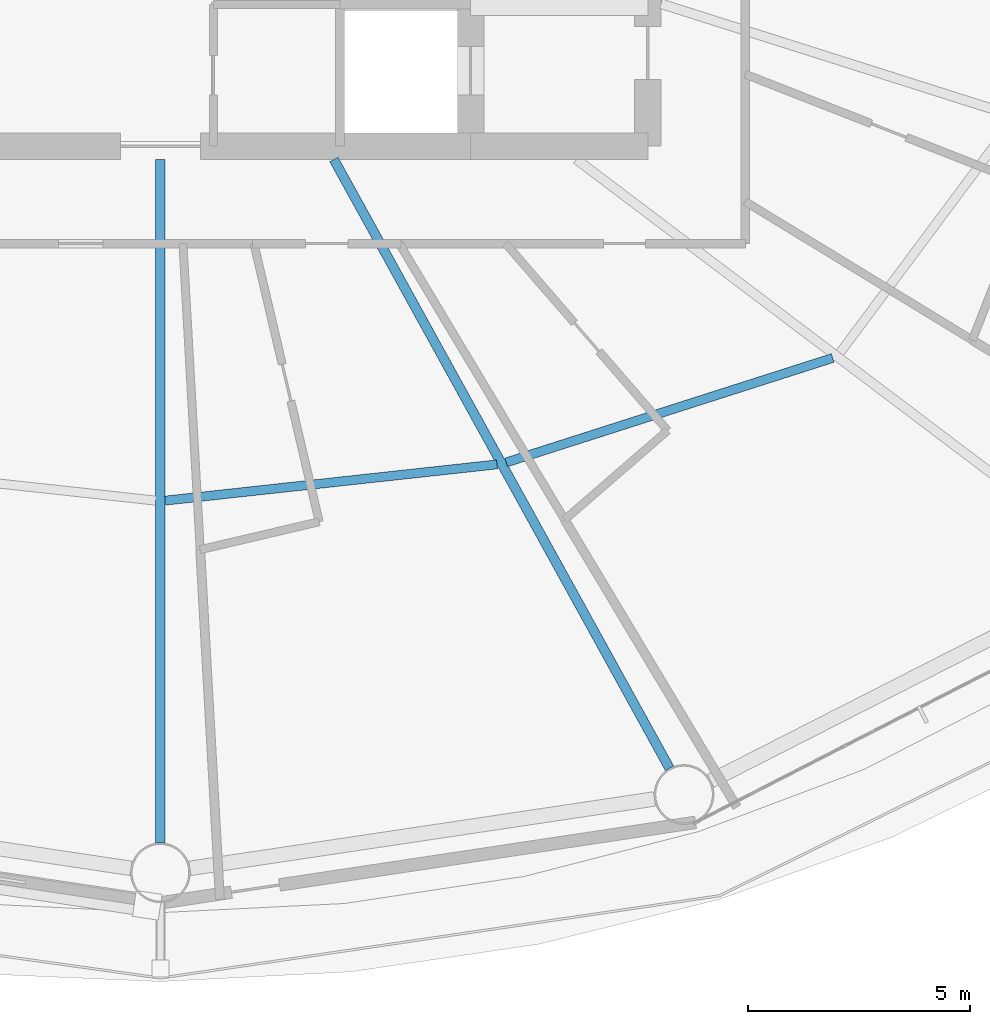
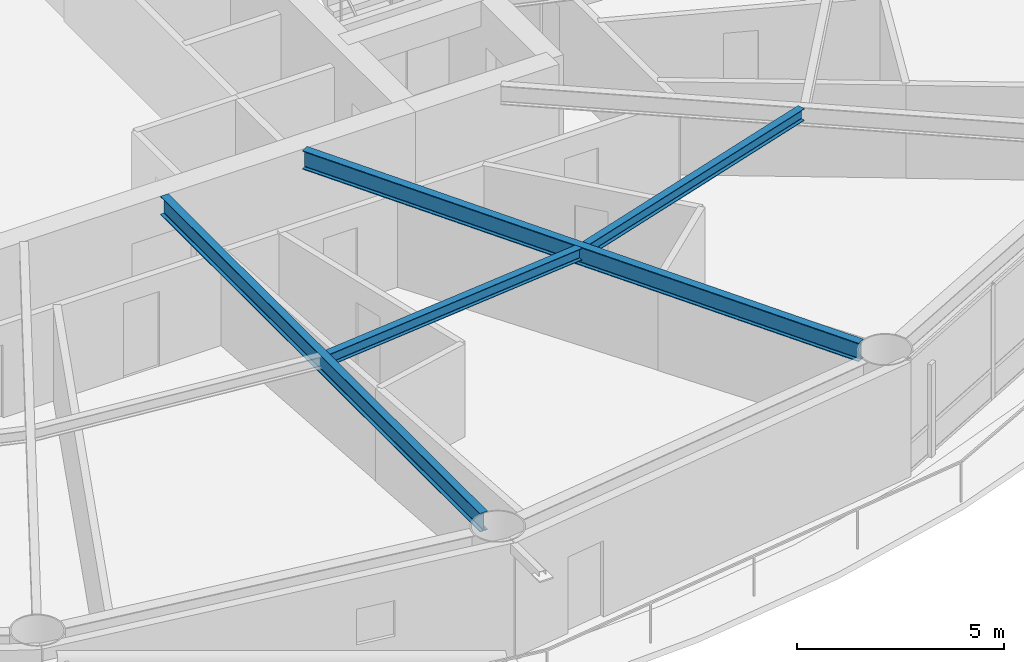
# One storey, part 7 of 26: 4 beams.
"""IFC4 building model written with IfcOpenShell, lengths in metres."""

import ifcopenshell
import ifcopenshell.guid

model = None  # the IFC model being written
_history = None  # IfcOwnerHistory: only IFC2X3 demands one
_inside = {}  # id of a spatial element -> (the spatial element, [elements in it])
_under = {}  # id of a project, library or spatial element -> (it, [spatial elements below it])
_declared = {}  # id of a project -> (the project, [libraries it declares])
_typed = {}  # id of a type object -> (the type object, [elements of that type])
_made_of = {}  # id of a material, layer set ... -> (it, [elements and type objects made of it])


def new_model(schema):
    """Start an empty IFC model of exactly this schema.

    Asked for "IFC4X3", IfcOpenShell would pick the latest addendum, in which some entities
    have other attributes; the version numbers below select the first issue.
    IFC2X3 requires an IfcOwnerHistory on every rooted entity: one is made here for all.
    """
    global model, _history
    if schema == "IFC4X3":
        model = ifcopenshell.file(schema_version=(4, 3, 0, 0))
    else:
        model = ifcopenshell.file(schema=schema)
    _inside.clear()
    _under.clear()
    _declared.clear()
    _typed.clear()
    _made_of.clear()
    _history = None
    if model.schema == "IFC2X3":
        org = make("IfcOrganization", Name="unknown")
        user = make(
            "IfcPersonAndOrganization",
            ThePerson=make("IfcPerson", FamilyName="unknown"),
            TheOrganization=org,
        )
        app = make(
            "IfcApplication",
            ApplicationDeveloper=org,
            Version="unknown",
            ApplicationFullName="unknown",
            ApplicationIdentifier="unknown",
        )
        _history = make(
            "IfcOwnerHistory",
            OwningUser=user,
            OwningApplication=app,
            ChangeAction="ADDED",
            CreationDate=0,
        )
    return model


def make(cls, **values):
    """One entity of the class cls with the attributes given. An attribute that is None is left unset."""
    return model.create_entity(
        cls, **{name: value for name, value in values.items() if value is not None}
    )


def rooted(cls, **values):
    """An entity with a GlobalId (a new one), such as an element, a storey or a relation."""
    return make(cls, GlobalId=ifcopenshell.guid.new(), OwnerHistory=_history, **values)


def si_unit(unit_type, name, prefix=None):
    """IfcSIUnit, for example si_unit("LENGTHUNIT", "METRE", prefix="MILLI")."""
    return make("IfcSIUnit", UnitType=unit_type, Prefix=prefix, Name=name)


def assignment(units):
    """IfcUnitAssignment: the units of a project."""
    return None if units is None else make("IfcUnitAssignment", Units=units)


def point(xyz):
    """IfcCartesianPoint."""
    return None if xyz is None else make("IfcCartesianPoint", Coordinates=xyz)


def direction(xyz):
    """IfcDirection."""
    return None if xyz is None else make("IfcDirection", DirectionRatios=xyz)


def frame(location, z_axis=None, x_axis=None):
    """IfcAxis2Placement3D, a coordinate frame: its origin and axes. An axis left out is left unset."""
    return make(
        "IfcAxis2Placement3D",
        Location=point(location),
        Axis=direction(z_axis),
        RefDirection=direction(x_axis),
    )


def frame_2d(location, x_axis=None):
    """IfcAxis2Placement2D, a coordinate frame in the plane: its origin and x axis."""
    return make(
        "IfcAxis2Placement2D", Location=point(location), RefDirection=direction(x_axis)
    )


def origin():
    """The frame at (0, 0, 0) with its axes left unset."""
    return frame((0.0, 0.0, 0.0))


def origin_2d():
    """The frame at (0, 0) in the plane with its x axis left unset."""
    return frame_2d((0.0, 0.0))


def place(relative_to, where):
    """IfcLocalPlacement: puts the frame where relative to a parent placement (None: the world)."""
    return make(
        "IfcLocalPlacement", PlacementRelTo=relative_to, RelativePlacement=where
    )


def context(
    kind, dimensions, precision=None, world=None, true_north=None, identifier=None
):
    """IfcGeometricRepresentationContext, for example the 3D "Model" context."""
    return make(
        "IfcGeometricRepresentationContext",
        ContextIdentifier=identifier,
        ContextType=kind,
        CoordinateSpaceDimension=dimensions,
        Precision=precision,
        WorldCoordinateSystem=world,
        TrueNorth=true_north,
    )


def subcontext(parent, identifier, kind, view, scale=None):
    """IfcGeometricRepresentationSubContext, for example "Body" below "Model"."""
    return make(
        "IfcGeometricRepresentationSubContext",
        ContextIdentifier=identifier,
        ContextType=kind,
        ParentContext=parent,
        TargetScale=scale,
        TargetView=view,
    )


def project(units=None, contexts=None):
    """IfcProject with its units and contexts."""
    return rooted(
        "IfcProject",
        Name="project",
        RepresentationContexts=contexts,
        UnitsInContext=assignment(units),
    )


def spatial(cls, under=None, at=None, **own):
    """A site, building, storey or space (cls), placed at a placement, below another one or the project."""
    s = rooted(cls, ObjectPlacement=at, **own)
    if under is not None:
        _under.setdefault(under.id(), (under, []))[1].append(s)
    return s


def profile(cls, at=None, kind="AREA", **sizes):
    """A parametric profile (cls). Its sizes go by their IFC names, for example OverallWidth=200.0."""
    return make(cls, ProfileType=kind, Position=at, **sizes)


def i_section(**sizes):
    """IfcIShapeProfileDef."""
    return profile("IfcIShapeProfileDef", **sizes)


def extrude(swept, where, along, depth):
    """IfcExtrudedAreaSolid: the profile swept, set in the frame where, extruded along a direction by depth."""
    return make(
        "IfcExtrudedAreaSolid",
        SweptArea=swept,
        Position=where,
        ExtrudedDirection=direction(along),
        Depth=depth,
    )


def shape(context_of_items, identifier, shape_type, items):
    """IfcShapeRepresentation: the items that make up one representation, for example the "Body"."""
    return make(
        "IfcShapeRepresentation",
        ContextOfItems=context_of_items,
        RepresentationIdentifier=identifier,
        RepresentationType=shape_type,
        Items=items,
    )


def material(Name=None, Category=None):
    """IfcMaterial."""
    return make("IfcMaterial", Name=Name, Category=Category)


def material_profile(
    of_material, cross_section, Name=None, Category=None, Priority=None
):
    """IfcMaterialProfile: a cross section and its material."""
    return make(
        "IfcMaterialProfile",
        Name=Name,
        Material=of_material,
        Profile=cross_section,
        Priority=Priority,
        Category=Category,
    )


def profile_set(profiles, Name=None, composite=None):
    """IfcMaterialProfileSet."""
    return make(
        "IfcMaterialProfileSet",
        Name=Name,
        MaterialProfiles=profiles,
        CompositeProfile=composite,
    )


def made_of(thing, what):
    """Note that an element or type object is made of a material, layer set ...; save() writes the relation."""
    if what is not None:
        _made_of.setdefault(what.id(), (what, []))[1].append(thing)
    return thing


def type_object(cls, material=None, **own):
    """A type object (cls), such as IfcWallType, which elements share."""
    return made_of(rooted(cls, **own), material)


def element(
    cls,
    number,
    at=None,
    inside=None,
    cuts=None,
    type_object=None,
    material=None,
    context=None,
    identifier="Body",
    shape_type=None,
    held_by="IfcProductDefinitionShape",
    body=None,
    shapes=None,
    **own,
):
    """One element of the class cls, such as IfcWall. Its Tag is "e" and its number.

    at: its placement. inside: the storey or other place that contains it. cuts: it is an
    opening in that element (IfcRelVoidsElement). A single representation is given by context,
    identifier, shape_type and body (its items); several are given by shapes. held_by: the class
    of the entity that holds the representations. save() writes the other relations.
    """
    e = rooted(cls, Tag="e%d" % number, ObjectPlacement=at, **own)
    if body is not None:
        shapes = [shape(context, identifier, shape_type, body)]
    if shapes is not None:
        e.Representation = make(held_by, Representations=shapes)
    if inside is not None:
        _inside.setdefault(inside.id(), (inside, []))[1].append(e)
    if cuts is not None:
        rooted(
            "IfcRelVoidsElement", RelatingBuildingElement=cuts, RelatedOpeningElement=e
        )
    if type_object is not None:
        _typed.setdefault(type_object.id(), (type_object, []))[1].append(e)
    return made_of(e, material)


def aggregate(whole, parts):
    """IfcRelAggregates: a whole, such as a stair, and the parts it consists of."""
    return rooted("IfcRelAggregates", RelatingObject=whole, RelatedObjects=parts)


def save(model, path):
    """Write the relations noted so far, then the file.

    IfcRelAggregates (storeys below a building ...), IfcRelContainedInSpatialStructure (elements
    in a storey), IfcRelDefinesByType, IfcRelAssociatesMaterial and IfcRelDeclares: one each for
    every whole, place, type object, material and project.
    """
    for whole, parts in _under.values():
        aggregate(whole, parts)
    for where, things in _inside.values():
        rooted(
            "IfcRelContainedInSpatialStructure",
            RelatedElements=things,
            RelatingStructure=where,
        )
    for kind, things in _typed.values():
        rooted("IfcRelDefinesByType", RelatedObjects=things, RelatingType=kind)
    for what, things in _made_of.values():
        rooted("IfcRelAssociatesMaterial", RelatedObjects=things, RelatingMaterial=what)
    for by, libraries in _declared.values():
        rooted("IfcRelDeclares", RelatingContext=by, RelatedDefinitions=libraries)
    model.write(path)


model = new_model("IFC4")

# Units and contexts
model_context = context("Model", 3, precision=1e-05, world=origin(), true_north=direction((0.0, 1.0)))
body_context = subcontext(model_context, "Body", "Model", "MODEL_VIEW")
ifc_project = project(units=[si_unit("LENGTHUNIT", "METRE"), si_unit("AREAUNIT", "SQUARE_METRE"), si_unit("VOLUMEUNIT", "CUBIC_METRE"), si_unit("PLANEANGLEUNIT", "RADIAN"), si_unit("MASSUNIT", "GRAM", prefix="KILO")], contexts=[model_context])

# Site, building, storey
site_placement = place(None, origin())
site = spatial("IfcSite", under=ifc_project, at=site_placement, CompositionType="ELEMENT")
building_placement = place(site_placement, origin())
building = spatial("IfcBuilding", under=site, at=building_placement, Name="Sarneth Arch Tower", CompositionType="ELEMENT")
storey_placement = place(building_placement, frame((0.0, 0.0, 49.800048828125)))
storey = spatial("IfcBuildingStorey", under=building, at=storey_placement, Name="L11", CompositionType="ELEMENT", Elevation=49.800048828125)

# Beams
ifc_material_1 = material(Name="Steel S355", Category="steel")
ifc_material_profile_1 = material_profile(ifc_material_1, i_section(OverallWidth=0.2041015625, OverallDepth=0.35009765625, WebThickness=0.008544921875, FlangeThickness=0.01513671875, FilletRadius=0.014892578125, at=origin_2d()), Name="W360x72")
ifc_profile_set_1 = profile_set([ifc_material_profile_1], Name="Steel S355")
beam_type_1 = type_object("IfcBeamType", Name="BM-JOIST-360D", PredefinedType="JOIST", material=ifc_profile_set_1)
beam_1_placement = place(storey_placement, frame((48.1064453125, 27.19921875, 3.204833984375), z_axis=(0.994095251924, 0.108510967657, 0.0), x_axis=(-0.108510967657, 0.994095251924, 0.0)))
element("IfcBeam", 1, at=beam_1_placement, inside=storey, type_object=beam_type_1, Name="L11 Secondary floor joist 13", PredefinedType="JOIST", context=body_context, shape_type="SweptSolid", body=[
    extrude(i_section(OverallWidth=0.2041015625, OverallDepth=0.35009765625, WebThickness=0.008544921875, FlangeThickness=0.01513671875, FilletRadius=0.014892578125, at=origin_2d()), origin(), (0.0, 0.0, 1.0), 7.534912109375),
])
beam_2_placement = place(storey_placement, frame((55.80517578125, 28.061279296875, 3.204833984375), z_axis=(0.952436240143, 0.304737934073, 0.0), x_axis=(-0.304737934073, 0.952436240143, 0.0)))
element("IfcBeam", 2, at=beam_2_placement, inside=storey, type_object=beam_type_1, Name="L11 Secondary floor joist 14", PredefinedType="JOIST", context=body_context, shape_type="SweptSolid", body=[
    extrude(i_section(OverallWidth=0.2041015625, OverallDepth=0.35009765625, WebThickness=0.008544921875, FlangeThickness=0.01513671875, FilletRadius=0.014892578125, at=origin_2d()), origin(), (0.0, 0.0, 1.0), 7.735107421875),
])
ifc_material_2 = material(Name="Steel S355", Category="steel")
ifc_material_profile_2 = material_profile(ifc_material_2, i_section(OverallWidth=0.214111328125, OverallDepth=0.549072265625, WebThickness=0.0146484375, FlangeThickness=0.023681640625, FilletRadius=0.01806640625, at=origin_2d()), Name="W530x138")
ifc_profile_set_2 = profile_set([ifc_material_profile_2], Name="Steel S355")
beam_type_2 = type_object("IfcBeamType", Name="BM-RAD-530A", PredefinedType="BEAM", material=ifc_profile_set_2)
beam_3_placement = place(storey_placement, frame((48.0, 34.89990234375, 3.10546875), z_axis=(0.0, -1.0, 0.0), x_axis=(1.0, 0.0, 0.0)))
element("IfcBeam", 3, at=beam_3_placement, inside=storey, type_object=beam_type_2, Name="L11 Radial floor girder 13", PredefinedType="BEAM", context=body_context, shape_type="SweptSolid", body=[
    extrude(i_section(OverallWidth=0.214111328125, OverallDepth=0.549072265625, WebThickness=0.0146484375, FlangeThickness=0.023681640625, FilletRadius=0.01806640625, at=origin_2d()), origin(), (0.0, 0.0, 1.0), 15.4248046875),
])
beam_4_placement = place(storey_placement, frame((51.91455078125, 34.89990234375, 3.10546875), z_axis=(0.482837562311, -0.875709933952, 0.0), x_axis=(0.875709933952, 0.482837562311, 0.0)))
element("IfcBeam", 4, at=beam_4_placement, inside=storey, type_object=beam_type_2, Name="L11 Radial floor girder 14", PredefinedType="BEAM", context=body_context, shape_type="SweptSolid", body=[
    extrude(i_section(OverallWidth=0.214111328125, OverallDepth=0.549072265625, WebThickness=0.0146484375, FlangeThickness=0.023681640625, FilletRadius=0.01806640625, at=origin_2d()), origin(), (0.0, 0.0, 1.0), 15.693359375),
])

save(model, "model.ifc")
